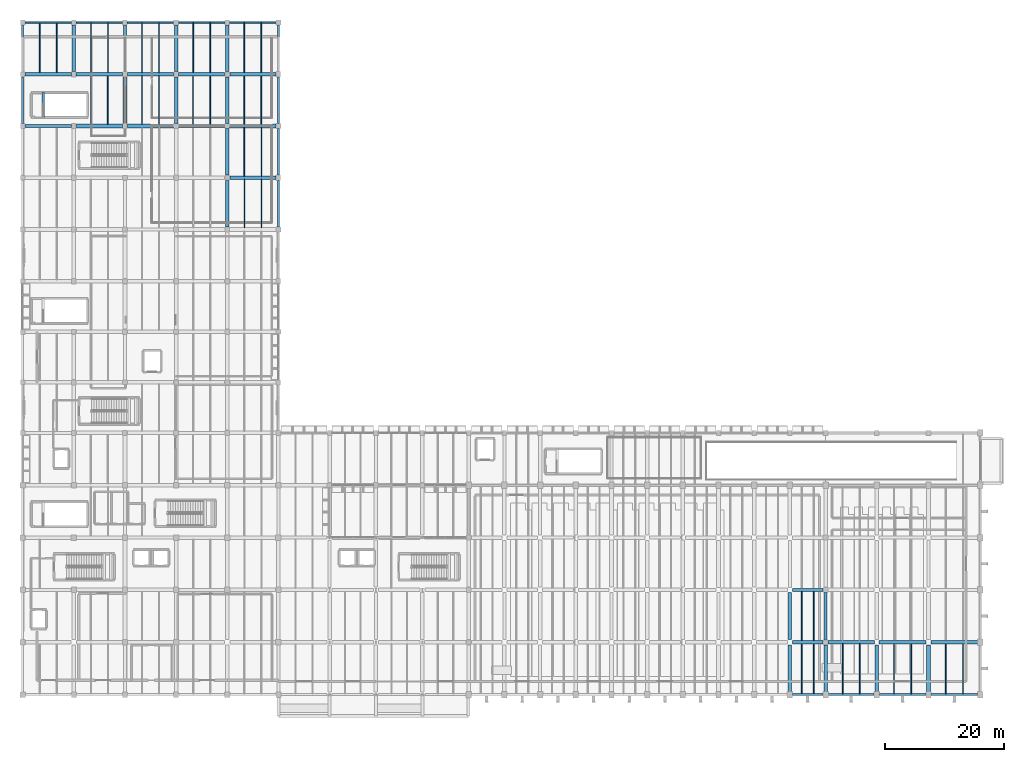
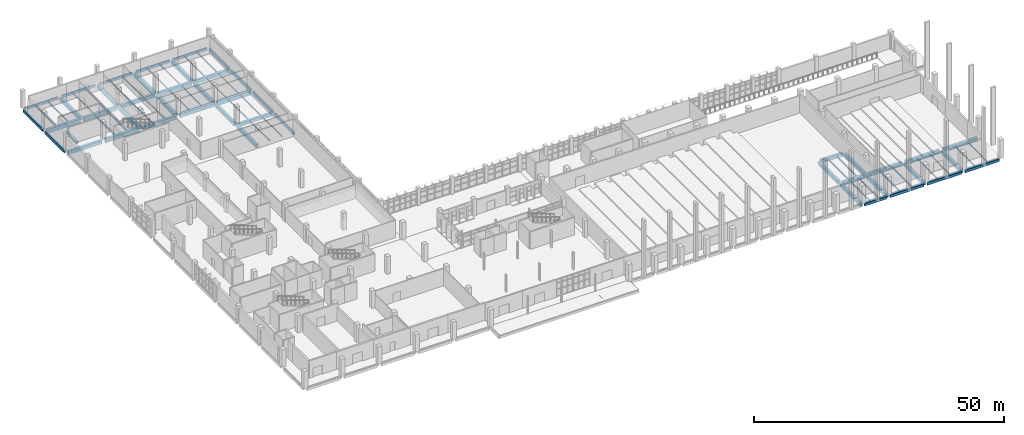
# One storey, part 46 of 76: 79 beams.
"""IFC4 building model written with IfcOpenShell, lengths in metres."""

import ifcopenshell
import ifcopenshell.guid

model = None  # the IFC model being written
_history = None  # IfcOwnerHistory: only IFC2X3 demands one
_inside = {}  # id of a spatial element -> (the spatial element, [elements in it])
_under = {}  # id of a project, library or spatial element -> (it, [spatial elements below it])
_declared = {}  # id of a project -> (the project, [libraries it declares])
_typed = {}  # id of a type object -> (the type object, [elements of that type])
_made_of = {}  # id of a material, layer set ... -> (it, [elements and type objects made of it])


def new_model(schema):
    """Start an empty IFC model of exactly this schema.

    Asked for "IFC4X3", IfcOpenShell would pick the latest addendum, in which some entities
    have other attributes; the version numbers below select the first issue.
    IFC2X3 requires an IfcOwnerHistory on every rooted entity: one is made here for all.
    """
    global model, _history
    if schema == "IFC4X3":
        model = ifcopenshell.file(schema_version=(4, 3, 0, 0))
    else:
        model = ifcopenshell.file(schema=schema)
    _inside.clear()
    _under.clear()
    _declared.clear()
    _typed.clear()
    _made_of.clear()
    _history = None
    if model.schema == "IFC2X3":
        org = make("IfcOrganization", Name="unknown")
        user = make(
            "IfcPersonAndOrganization",
            ThePerson=make("IfcPerson", FamilyName="unknown"),
            TheOrganization=org,
        )
        app = make(
            "IfcApplication",
            ApplicationDeveloper=org,
            Version="unknown",
            ApplicationFullName="unknown",
            ApplicationIdentifier="unknown",
        )
        _history = make(
            "IfcOwnerHistory",
            OwningUser=user,
            OwningApplication=app,
            ChangeAction="ADDED",
            CreationDate=0,
        )
    return model


def make(cls, **values):
    """One entity of the class cls with the attributes given. An attribute that is None is left unset."""
    return model.create_entity(
        cls, **{name: value for name, value in values.items() if value is not None}
    )


def rooted(cls, **values):
    """An entity with a GlobalId (a new one), such as an element, a storey or a relation."""
    return make(cls, GlobalId=ifcopenshell.guid.new(), OwnerHistory=_history, **values)


def si_unit(unit_type, name, prefix=None):
    """IfcSIUnit, for example si_unit("LENGTHUNIT", "METRE", prefix="MILLI")."""
    return make("IfcSIUnit", UnitType=unit_type, Prefix=prefix, Name=name)


def assignment(units):
    """IfcUnitAssignment: the units of a project."""
    return None if units is None else make("IfcUnitAssignment", Units=units)


def point(xyz):
    """IfcCartesianPoint."""
    return None if xyz is None else make("IfcCartesianPoint", Coordinates=xyz)


def direction(xyz):
    """IfcDirection."""
    return None if xyz is None else make("IfcDirection", DirectionRatios=xyz)


def frame(location, z_axis=None, x_axis=None):
    """IfcAxis2Placement3D, a coordinate frame: its origin and axes. An axis left out is left unset."""
    return make(
        "IfcAxis2Placement3D",
        Location=point(location),
        Axis=direction(z_axis),
        RefDirection=direction(x_axis),
    )


def frame_2d(location, x_axis=None):
    """IfcAxis2Placement2D, a coordinate frame in the plane: its origin and x axis."""
    return make(
        "IfcAxis2Placement2D", Location=point(location), RefDirection=direction(x_axis)
    )


def origin():
    """The frame at (0, 0, 0) with its axes left unset."""
    return frame((0.0, 0.0, 0.0))


def origin_2d():
    """The frame at (0, 0) in the plane with its x axis left unset."""
    return frame_2d((0.0, 0.0))


def place(relative_to, where):
    """IfcLocalPlacement: puts the frame where relative to a parent placement (None: the world)."""
    return make(
        "IfcLocalPlacement", PlacementRelTo=relative_to, RelativePlacement=where
    )


def context(
    kind, dimensions, precision=None, world=None, true_north=None, identifier=None
):
    """IfcGeometricRepresentationContext, for example the 3D "Model" context."""
    return make(
        "IfcGeometricRepresentationContext",
        ContextIdentifier=identifier,
        ContextType=kind,
        CoordinateSpaceDimension=dimensions,
        Precision=precision,
        WorldCoordinateSystem=world,
        TrueNorth=true_north,
    )


def subcontext(parent, identifier, kind, view, scale=None):
    """IfcGeometricRepresentationSubContext, for example "Body" below "Model"."""
    return make(
        "IfcGeometricRepresentationSubContext",
        ContextIdentifier=identifier,
        ContextType=kind,
        ParentContext=parent,
        TargetScale=scale,
        TargetView=view,
    )


def project(units=None, contexts=None):
    """IfcProject with its units and contexts."""
    return rooted(
        "IfcProject",
        Name="project",
        RepresentationContexts=contexts,
        UnitsInContext=assignment(units),
    )


def spatial(cls, under=None, at=None, **own):
    """A site, building, storey or space (cls), placed at a placement, below another one or the project."""
    s = rooted(cls, ObjectPlacement=at, **own)
    if under is not None:
        _under.setdefault(under.id(), (under, []))[1].append(s)
    return s


def profile(cls, at=None, kind="AREA", **sizes):
    """A parametric profile (cls). Its sizes go by their IFC names, for example OverallWidth=200.0."""
    return make(cls, ProfileType=kind, Position=at, **sizes)


def rectangle(**sizes):
    """IfcRectangleProfileDef."""
    return profile("IfcRectangleProfileDef", **sizes)


def i_section(**sizes):
    """IfcIShapeProfileDef."""
    return profile("IfcIShapeProfileDef", **sizes)


def extrude(swept, where, along, depth):
    """IfcExtrudedAreaSolid: the profile swept, set in the frame where, extruded along a direction by depth."""
    return make(
        "IfcExtrudedAreaSolid",
        SweptArea=swept,
        Position=where,
        ExtrudedDirection=direction(along),
        Depth=depth,
    )


def shape(context_of_items, identifier, shape_type, items):
    """IfcShapeRepresentation: the items that make up one representation, for example the "Body"."""
    return make(
        "IfcShapeRepresentation",
        ContextOfItems=context_of_items,
        RepresentationIdentifier=identifier,
        RepresentationType=shape_type,
        Items=items,
    )


def material(Name=None, Category=None):
    """IfcMaterial."""
    return make("IfcMaterial", Name=Name, Category=Category)


def material_profile(
    of_material, cross_section, Name=None, Category=None, Priority=None
):
    """IfcMaterialProfile: a cross section and its material."""
    return make(
        "IfcMaterialProfile",
        Name=Name,
        Material=of_material,
        Profile=cross_section,
        Priority=Priority,
        Category=Category,
    )


def profile_set(profiles, Name=None, composite=None):
    """IfcMaterialProfileSet."""
    return make(
        "IfcMaterialProfileSet",
        Name=Name,
        MaterialProfiles=profiles,
        CompositeProfile=composite,
    )


def made_of(thing, what):
    """Note that an element or type object is made of a material, layer set ...; save() writes the relation."""
    if what is not None:
        _made_of.setdefault(what.id(), (what, []))[1].append(thing)
    return thing


def type_object(cls, material=None, **own):
    """A type object (cls), such as IfcWallType, which elements share."""
    return made_of(rooted(cls, **own), material)


def element(
    cls,
    number,
    at=None,
    inside=None,
    cuts=None,
    type_object=None,
    material=None,
    context=None,
    identifier="Body",
    shape_type=None,
    held_by="IfcProductDefinitionShape",
    body=None,
    shapes=None,
    **own,
):
    """One element of the class cls, such as IfcWall. Its Tag is "e" and its number.

    at: its placement. inside: the storey or other place that contains it. cuts: it is an
    opening in that element (IfcRelVoidsElement). A single representation is given by context,
    identifier, shape_type and body (its items); several are given by shapes. held_by: the class
    of the entity that holds the representations. save() writes the other relations.
    """
    e = rooted(cls, Tag="e%d" % number, ObjectPlacement=at, **own)
    if body is not None:
        shapes = [shape(context, identifier, shape_type, body)]
    if shapes is not None:
        e.Representation = make(held_by, Representations=shapes)
    if inside is not None:
        _inside.setdefault(inside.id(), (inside, []))[1].append(e)
    if cuts is not None:
        rooted(
            "IfcRelVoidsElement", RelatingBuildingElement=cuts, RelatedOpeningElement=e
        )
    if type_object is not None:
        _typed.setdefault(type_object.id(), (type_object, []))[1].append(e)
    return made_of(e, material)


def aggregate(whole, parts):
    """IfcRelAggregates: a whole, such as a stair, and the parts it consists of."""
    return rooted("IfcRelAggregates", RelatingObject=whole, RelatedObjects=parts)


def save(model, path):
    """Write the relations noted so far, then the file.

    IfcRelAggregates (storeys below a building ...), IfcRelContainedInSpatialStructure (elements
    in a storey), IfcRelDefinesByType, IfcRelAssociatesMaterial and IfcRelDeclares: one each for
    every whole, place, type object, material and project.
    """
    for whole, parts in _under.values():
        aggregate(whole, parts)
    for where, things in _inside.values():
        rooted(
            "IfcRelContainedInSpatialStructure",
            RelatedElements=things,
            RelatingStructure=where,
        )
    for kind, things in _typed.values():
        rooted("IfcRelDefinesByType", RelatedObjects=things, RelatingType=kind)
    for what, things in _made_of.values():
        rooted("IfcRelAssociatesMaterial", RelatedObjects=things, RelatingMaterial=what)
    for by, libraries in _declared.values():
        rooted("IfcRelDeclares", RelatingContext=by, RelatedDefinitions=libraries)
    model.write(path)


model = new_model("IFC4")

# Units and contexts
model_context = context("Model", 3, precision=1e-05, world=origin(), true_north=direction((0.0, 1.0)))
body_context = subcontext(model_context, "Body", "Model", "MODEL_VIEW")
ifc_project = project(units=[si_unit("LENGTHUNIT", "METRE"), si_unit("AREAUNIT", "SQUARE_METRE"), si_unit("VOLUMEUNIT", "CUBIC_METRE"), si_unit("PLANEANGLEUNIT", "RADIAN"), si_unit("MASSUNIT", "GRAM", prefix="KILO")], contexts=[model_context])

# Site, building, storey
site_placement = place(None, origin())
site = spatial("IfcSite", under=ifc_project, at=site_placement, CompositionType="ELEMENT")
building_placement = place(site_placement, origin())
building = spatial("IfcBuilding", under=site, at=building_placement, Name="Varnakota Cinema and Media Centre", CompositionType="ELEMENT")
storey_placement = place(building_placement, origin())
storey = spatial("IfcBuildingStorey", under=building, at=storey_placement, Name="L00", CompositionType="ELEMENT", Elevation=0.0)

# Beams
ifc_material_1 = material(Name="Concrete M40", Category="concrete")
ifc_material_profile_1 = material_profile(ifc_material_1, rectangle(XDim=0.449951171875, YDim=0.550048828125, at=origin_2d()), Name="RCB 450x550")
ifc_profile_set_1 = profile_set([ifc_material_profile_1], Name="Concrete M40")
beam_type_1 = type_object("IfcBeamType", Name="BM-RC-450x550", PredefinedType="BEAM", material=ifc_profile_set_1)
beam_1_placement = place(storey_placement, frame((3.469970703125, 97.050048828125, -0.27490234375), z_axis=(0.0, 1.0, 0.0), x_axis=(-1.0, 0.0, 0.0)))
element("IfcBeam", 1, at=beam_1_placement, inside=storey, type_object=beam_type_1, Name="L00 ST-B4 stair arrival trimmer beam", PredefinedType="BEAM", context=body_context, shape_type="SweptSolid", body=[
    extrude(rectangle(XDim=0.449951171875, YDim=0.550048828125, at=origin_2d()), origin(), (0.0, 0.0, 1.0), 4.14990234375),
])
ifc_material_2 = material(Name="Concrete M35", Category="concrete")
ifc_material_profile_2 = material_profile(ifc_material_2, rectangle(XDim=0.550048828125, YDim=0.800048828125, at=origin_2d()), Name="RCB 550x800")
ifc_profile_set_2 = profile_set([ifc_material_profile_2], Name="Concrete M35")
beam_type_2 = type_object("IfcBeamType", Name="BM-RC-550x800", PredefinedType="BEAM", material=ifc_profile_set_2)
beam_2_placement = place(storey_placement, frame((135.425048828125, 8.800048828125, -0.679931640625), z_axis=(1.0, 0.0, 0.0), x_axis=(0.0, 1.0, 0.0)))
element("IfcBeam", 2, at=beam_2_placement, inside=storey, type_object=beam_type_2, Name="L00 girder V-W/2", PredefinedType="BEAM", context=body_context, shape_type="SweptSolid", body=[
    extrude(rectangle(XDim=0.550048828125, YDim=0.800048828125, at=origin_2d()), origin(), (0.0, 0.0, 1.0), 7.77490234375),
])
beam_3_placement = place(storey_placement, frame((129.425048828125, 17.60009765625, -0.679931640625), z_axis=(1.0, 0.0, 0.0), x_axis=(0.0, 1.0, 0.0)))
element("IfcBeam", 3, at=beam_3_placement, inside=storey, type_object=beam_type_2, Name="L00 girder U-V/3", PredefinedType="BEAM", context=body_context, shape_type="SweptSolid", body=[
    extrude(rectangle(XDim=0.550048828125, YDim=0.800048828125, at=origin_2d()), origin(), (0.0, 0.0, 1.0), 5.175048828125),
])
for number, where, z_axis, x_axis, name in (
    (4, (34.824951171875, 86.89990234375, -0.679931640625), (1.0, 0.0, 0.0), (0.0, 1.0, 0.0), "L00 girder E-F/11"),
    (5, (0.39990234375, 95.60009765625, -0.679931640625), (1.0, 0.0, 0.0), (0.0, 1.0, 0.0), "L00 girder A-B/12"),
):
    element("IfcBeam", number, at=place(storey_placement, frame(where, z_axis=z_axis, x_axis=x_axis)), inside=storey, type_object=beam_type_2, Name=name, PredefinedType="BEAM", context=body_context, shape_type="SweptSolid", body=[
        extrude(rectangle(XDim=0.550048828125, YDim=0.800048828125, at=origin_2d()), origin(), (0.0, 0.0, 1.0), 7.775146484375),
    ])
for number, where, z_axis, x_axis, name in (
    (6, (26.22509765625, 95.60009765625, -0.679931640625), (1.0, 0.0, 0.0), (0.0, 1.0, 0.0), "L00 girder D-E/12"),
    (7, (17.625, 104.300048828125, -0.679931640625), (1.0, 0.0, 0.0), (0.0, 1.0, 0.0), "L00 girder C-D/13"),
):
    element("IfcBeam", number, at=place(storey_placement, frame(where, z_axis=z_axis, x_axis=x_axis)), inside=storey, type_object=beam_type_2, Name=name, PredefinedType="BEAM", context=body_context, shape_type="SweptSolid", body=[
        extrude(rectangle(XDim=0.550048828125, YDim=0.800048828125, at=origin_2d()), origin(), (0.0, 0.0, 1.0), 7.77490234375),
    ])
beam_4_placement = place(storey_placement, frame((17.199951171875, 104.72509765625, -0.679931640625), z_axis=(0.0, 1.0, 0.0), x_axis=(-1.0, 0.0, 0.0)))
element("IfcBeam", 8, at=beam_4_placement, inside=storey, type_object=beam_type_2, Name="L00 girder C/13-14", PredefinedType="BEAM", context=body_context, shape_type="SweptSolid", body=[
    extrude(rectangle(XDim=0.550048828125, YDim=0.800048828125, at=origin_2d()), origin(), (0.0, 0.0, 1.0), 7.824951171875),
])
beam_5_placement = place(storey_placement, frame((25.800048828125, 96.02490234375, -0.679931640625), z_axis=(0.0, 1.0, 0.0), x_axis=(-1.0, 0.0, 0.0)))
element("IfcBeam", 9, at=beam_5_placement, inside=storey, type_object=beam_type_2, Name="L00 girder D/12-13", PredefinedType="BEAM", context=body_context, shape_type="SweptSolid", body=[
    extrude(rectangle(XDim=0.550048828125, YDim=0.800048828125, at=origin_2d()), origin(), (0.0, 0.0, 1.0), 7.8251953125),
])
beam_6_placement = place(storey_placement, frame((34.39990234375, 87.324951171875, -0.679931640625), z_axis=(0.0, 1.0, 0.0), x_axis=(-1.0, 0.0, 0.0)))
element("IfcBeam", 10, at=beam_6_placement, inside=storey, type_object=beam_type_2, Name="L00 girder E/11-12", PredefinedType="BEAM", context=body_context, shape_type="SweptSolid", body=[
    extrude(rectangle(XDim=0.550048828125, YDim=0.800048828125, at=origin_2d()), origin(), (0.0, 0.0, 1.0), 7.824951171875),
])
beam_7_placement = place(storey_placement, frame((135.0, 9.22509765625, -0.679931640625), z_axis=(0.0, 1.0, 0.0), x_axis=(-1.0, 0.0, 0.0)))
element("IfcBeam", 11, at=beam_7_placement, inside=storey, type_object=beam_type_2, Name="L00 girder V/2-3", PredefinedType="BEAM", context=body_context, shape_type="SweptSolid", body=[
    extrude(rectangle(XDim=0.550048828125, YDim=0.800048828125, at=origin_2d()), origin(), (0.0, 0.0, 1.0), 7.9248046875),
])
beam_8_placement = place(storey_placement, frame((143.60009765625, 0.425048828125, -0.679931640625), z_axis=(0.0, 1.0, 0.0), x_axis=(-1.0, 0.0, 0.0)))
element("IfcBeam", 12, at=beam_8_placement, inside=storey, type_object=beam_type_2, Name="L00 girder W/1-2", PredefinedType="BEAM", context=body_context, shape_type="SweptSolid", body=[
    extrude(rectangle(XDim=0.550048828125, YDim=0.800048828125, at=origin_2d()), origin(), (0.0, 0.0, 1.0), 7.925048828125),
])
ifc_material_3 = material(Name="Concrete M35", Category="concrete")
ifc_material_profile_3 = material_profile(ifc_material_3, rectangle(XDim=0.60009765625, YDim=0.85009765625, at=origin_2d()), Name="RCB 600x850")
ifc_profile_set_3 = profile_set([ifc_material_profile_3], Name="Concrete M35")
beam_type_3 = type_object("IfcBeamType", Name="BM-RC-600x850", PredefinedType="BEAM", material=ifc_profile_set_3)
beam_9_placement = place(storey_placement, frame((129.39990234375, 8.800048828125, -0.705078125), z_axis=(1.0, 0.0, 0.0), x_axis=(0.0, 1.0, 0.0)))
element("IfcBeam", 13, at=beam_9_placement, inside=storey, type_object=beam_type_3, Name="L00 girder U-V/2", PredefinedType="BEAM", context=body_context, shape_type="SweptSolid", body=[
    extrude(rectangle(XDim=0.60009765625, YDim=0.85009765625, at=origin_2d()), origin(), (0.0, 0.0, 1.0), 5.175048828125),
])
beam_10_placement = place(storey_placement, frame((152.72509765625, 8.800048828125, -0.705078125), z_axis=(1.0, 0.0, 0.0), x_axis=(0.0, 1.0, 0.0)))
element("IfcBeam", 14, at=beam_10_placement, inside=storey, type_object=beam_type_3, Name="L00 girder X-Y/2", PredefinedType="BEAM", context=body_context, shape_type="SweptSolid", body=[
    extrude(rectangle(XDim=0.60009765625, YDim=0.85009765625, at=origin_2d()), origin(), (0.0, 0.0, 1.0), 7.875),
])
for number, where, z_axis, x_axis, name in (
    (15, (17.60009765625, 95.60009765625, -0.705078125), (1.0, 0.0, 0.0), (0.0, 1.0, 0.0), "L00 girder C-D/12"),
    (16, (9.0, 104.300048828125, -0.705078125), (1.0, 0.0, 0.0), (0.0, 1.0, 0.0), "L00 girder B-C/13"),
):
    element("IfcBeam", number, at=place(storey_placement, frame(where, z_axis=z_axis, x_axis=x_axis)), inside=storey, type_object=beam_type_3, Name=name, PredefinedType="BEAM", context=body_context, shape_type="SweptSolid", body=[
        extrude(rectangle(XDim=0.60009765625, YDim=0.85009765625, at=origin_2d()), origin(), (0.0, 0.0, 1.0), 7.77490234375),
    ])
beam_11_placement = place(storey_placement, frame((34.824951171875, 104.300048828125, -0.705078125), z_axis=(1.0, 0.0, 0.0), x_axis=(0.0, 1.0, 0.0)))
element("IfcBeam", 17, at=beam_11_placement, inside=storey, type_object=beam_type_3, Name="L00 girder E-F/13", PredefinedType="BEAM", context=body_context, shape_type="SweptSolid", body=[
    extrude(rectangle(XDim=0.60009765625, YDim=0.85009765625, at=origin_2d()), origin(), (0.0, 0.0, 1.0), 7.775146484375),
])
for number, where, z_axis, x_axis, name in (
    (18, (8.60009765625, 104.75, -0.705078125), (0.0, 1.0, 0.0), (-1.0, 0.0, 0.0), "L00 girder B/13-14"),
    (19, (17.199951171875, 96.050048828125, -0.705078125), (0.0, 1.0, 0.0), (-1.0, 0.0, 0.0), "L00 girder C/12-13"),
):
    element("IfcBeam", number, at=place(storey_placement, frame(where, z_axis=z_axis, x_axis=x_axis)), inside=storey, type_object=beam_type_3, Name=name, PredefinedType="BEAM", context=body_context, shape_type="SweptSolid", body=[
        extrude(rectangle(XDim=0.60009765625, YDim=0.85009765625, at=origin_2d()), origin(), (0.0, 0.0, 1.0), 7.824951171875),
    ])
beam_12_placement = place(storey_placement, frame((34.39990234375, 78.64990234375, -0.705078125), z_axis=(0.0, 1.0, 0.0), x_axis=(-1.0, 0.0, 0.0)))
element("IfcBeam", 20, at=beam_12_placement, inside=storey, type_object=beam_type_3, Name="L00 girder E/10-11", PredefinedType="BEAM", context=body_context, shape_type="SweptSolid", body=[
    extrude(rectangle(XDim=0.60009765625, YDim=0.85009765625, at=origin_2d()), origin(), (0.0, 0.0, 1.0), 7.8251953125),
])
beam_13_placement = place(storey_placement, frame((34.39990234375, 104.72509765625, -0.705078125), z_axis=(0.0, 1.0, 0.0), x_axis=(-1.0, 0.0, 0.0)))
element("IfcBeam", 21, at=beam_13_placement, inside=storey, type_object=beam_type_3, Name="L00 girder E/13-14", PredefinedType="BEAM", context=body_context, shape_type="SweptSolid", body=[
    extrude(rectangle(XDim=0.60009765625, YDim=0.85009765625, at=origin_2d()), origin(), (0.0, 0.0, 1.0), 7.824951171875),
])
for number, where, z_axis, x_axis, name in (
    (22, (129.0, 9.25, -0.705078125), (0.0, 1.0, 0.0), (-1.0, 0.0, 0.0), "L00 girder U/2-3"),
    (23, (135.0, 0.449951171875, -0.705078125), (0.0, 1.0, 0.0), (-1.0, 0.0, 0.0), "L00 girder V/1-2"),
):
    element("IfcBeam", number, at=place(storey_placement, frame(where, z_axis=z_axis, x_axis=x_axis)), inside=storey, type_object=beam_type_3, Name=name, PredefinedType="BEAM", context=body_context, shape_type="SweptSolid", body=[
        extrude(rectangle(XDim=0.60009765625, YDim=0.85009765625, at=origin_2d()), origin(), (0.0, 0.0, 1.0), 7.925048828125),
    ])
ifc_material_4 = material(Name="Concrete M40", Category="concrete")
ifc_material_profile_4 = material_profile(ifc_material_4, rectangle(XDim=0.60009765625, YDim=0.89990234375, at=origin_2d()), Name="RCB 600x900")
ifc_profile_set_4 = profile_set([ifc_material_profile_4], Name="Concrete M40")
beam_type_4 = type_object("IfcBeamType", Name="BM-RC-600x900", PredefinedType="BEAM", material=ifc_profile_set_4)
beam_14_placement = place(storey_placement, frame((144.0, 8.800048828125, -0.72998046875), z_axis=(1.0, 0.0, 0.0), x_axis=(0.0, 1.0, 0.0)))
element("IfcBeam", 24, at=beam_14_placement, inside=storey, type_object=beam_type_4, Name="L00 girder W-X/2", PredefinedType="BEAM", context=body_context, shape_type="SweptSolid", body=[
    extrude(rectangle(XDim=0.60009765625, YDim=0.89990234375, at=origin_2d()), origin(), (0.0, 0.0, 1.0), 7.875),
])
beam_15_placement = place(storey_placement, frame((9.02490234375, 95.60009765625, -0.72998046875), z_axis=(1.0, 0.0, 0.0), x_axis=(0.0, 1.0, 0.0)))
element("IfcBeam", 25, at=beam_15_placement, inside=storey, type_object=beam_type_4, Name="L00 girder B-C/12", PredefinedType="BEAM", context=body_context, shape_type="SweptSolid", body=[
    extrude(rectangle(XDim=0.60009765625, YDim=0.89990234375, at=origin_2d()), origin(), (0.0, 0.0, 1.0), 7.775146484375),
])
for number, where, z_axis, x_axis, name in (
    (26, (34.800048828125, 95.60009765625, -0.72998046875), (1.0, 0.0, 0.0), (0.0, 1.0, 0.0), "L00 girder E-F/12"),
    (27, (0.425048828125, 104.300048828125, -0.72998046875), (1.0, 0.0, 0.0), (0.0, 1.0, 0.0), "L00 girder A-B/13"),
):
    element("IfcBeam", number, at=place(storey_placement, frame(where, z_axis=z_axis, x_axis=x_axis)), inside=storey, type_object=beam_type_4, Name=name, PredefinedType="BEAM", context=body_context, shape_type="SweptSolid", body=[
        extrude(rectangle(XDim=0.60009765625, YDim=0.89990234375, at=origin_2d()), origin(), (0.0, 0.0, 1.0), 7.77490234375),
    ])
beam_16_placement = place(storey_placement, frame((26.199951171875, 104.300048828125, -0.72998046875), z_axis=(1.0, 0.0, 0.0), x_axis=(0.0, 1.0, 0.0)))
element("IfcBeam", 28, at=beam_16_placement, inside=storey, type_object=beam_type_4, Name="L00 girder D-E/13", PredefinedType="BEAM", context=body_context, shape_type="SweptSolid", body=[
    extrude(rectangle(XDim=0.60009765625, YDim=0.89990234375, at=origin_2d()), origin(), (0.0, 0.0, 1.0), 7.775146484375),
])
for number, where, z_axis, x_axis, name in (
    (29, (25.800048828125, 104.75, -0.72998046875), (0.0, 1.0, 0.0), (-1.0, 0.0, 0.0), "L00 girder D/13-14"),
    (30, (34.39990234375, 96.050048828125, -0.72998046875), (0.0, 1.0, 0.0), (-1.0, 0.0, 0.0), "L00 girder E/12-13"),
):
    element("IfcBeam", number, at=place(storey_placement, frame(where, z_axis=z_axis, x_axis=x_axis)), inside=storey, type_object=beam_type_4, Name=name, PredefinedType="BEAM", context=body_context, shape_type="SweptSolid", body=[
        extrude(rectangle(XDim=0.60009765625, YDim=0.89990234375, at=origin_2d()), origin(), (0.0, 0.0, 1.0), 7.824951171875),
    ])
for number, where, z_axis, x_axis, name in (
    (31, (129.0, 0.425048828125, -0.72998046875), (0.0, 1.0, 0.0), (-1.0, 0.0, 0.0), "L00 girder U/1-2"),
    (32, (152.300048828125, 0.449951171875, -0.72998046875), (0.0, 1.0, 0.0), (-1.0, 0.0, 0.0), "L00 girder X/1-2"),
):
    element("IfcBeam", number, at=place(storey_placement, frame(where, z_axis=z_axis, x_axis=x_axis)), inside=storey, type_object=beam_type_4, Name=name, PredefinedType="BEAM", context=body_context, shape_type="SweptSolid", body=[
        extrude(rectangle(XDim=0.60009765625, YDim=0.89990234375, at=origin_2d()), origin(), (0.0, 0.0, 1.0), 7.925048828125),
    ])
ifc_material_5 = material(Name="Concrete M35", Category="concrete")
ifc_material_profile_5 = material_profile(ifc_material_5, rectangle(XDim=0.300048828125, YDim=0.60009765625, at=origin_2d()), Name="RCB 300x600")
ifc_profile_set_5 = profile_set([ifc_material_profile_5], Name="Concrete M35")
beam_type_5 = type_object("IfcBeamType", Name="BM-SP-300x600", PredefinedType="SPANDREL", material=ifc_profile_set_5)
for number, where, z_axis, x_axis, name in (
    (33, (0.39990234375, 113.0, -0.580078125), (1.0, 0.0, 0.0), (0.0, 1.0, 0.0), "L00 girder A-B/14"),
    (34, (9.02490234375, 113.0, -0.580078125), (1.0, 0.0, 0.0), (0.0, 1.0, 0.0), "L00 girder B-C/14"),
):
    element("IfcBeam", number, at=place(storey_placement, frame(where, z_axis=z_axis, x_axis=x_axis)), inside=storey, type_object=beam_type_5, Name=name, PredefinedType="SPANDREL", context=body_context, shape_type="SweptSolid", body=[
        extrude(rectangle(XDim=0.300048828125, YDim=0.60009765625, at=origin_2d()), origin(), (0.0, 0.0, 1.0), 7.775146484375),
    ])
for number, where, z_axis, x_axis, name in (
    (35, (17.60009765625, 113.0, -0.580078125), (1.0, 0.0, 0.0), (0.0, 1.0, 0.0), "L00 girder C-D/14"),
    (36, (26.22509765625, 113.0, -0.580078125), (1.0, 0.0, 0.0), (0.0, 1.0, 0.0), "L00 girder D-E/14"),
    (37, (34.800048828125, 113.0, -0.580078125), (1.0, 0.0, 0.0), (0.0, 1.0, 0.0), "L00 girder E-F/14"),
):
    element("IfcBeam", number, at=place(storey_placement, frame(where, z_axis=z_axis, x_axis=x_axis)), inside=storey, type_object=beam_type_5, Name=name, PredefinedType="SPANDREL", context=body_context, shape_type="SweptSolid", body=[
        extrude(rectangle(XDim=0.300048828125, YDim=0.60009765625, at=origin_2d()), origin(), (0.0, 0.0, 1.0), 7.77490234375),
    ])
ifc_material_6 = material(Name="Concrete M40", Category="concrete")
ifc_material_profile_6 = material_profile(ifc_material_6, rectangle(XDim=0.35009765625, YDim=0.64990234375, at=origin_2d()), Name="RCB 350x650")
ifc_profile_set_6 = profile_set([ifc_material_profile_6], Name="Concrete M40")
beam_type_6 = type_object("IfcBeamType", Name="BM-SP-350x650", PredefinedType="SPANDREL", material=ifc_profile_set_6)
beam_17_placement = place(storey_placement, frame((129.425048828125, 0.0, -0.60498046875), z_axis=(1.0, 0.0, 0.0), x_axis=(0.0, 1.0, 0.0)))
element("IfcBeam", 38, at=beam_17_placement, inside=storey, type_object=beam_type_6, Name="L00 girder U-V/1", PredefinedType="SPANDREL", context=body_context, shape_type="SweptSolid", body=[
    extrude(rectangle(XDim=0.35009765625, YDim=0.64990234375, at=origin_2d()), origin(), (0.0, 0.0, 1.0), 5.175048828125),
])
beam_18_placement = place(storey_placement, frame((135.39990234375, 0.0, -0.60498046875), z_axis=(1.0, 0.0, 0.0), x_axis=(0.0, 1.0, 0.0)))
element("IfcBeam", 39, at=beam_18_placement, inside=storey, type_object=beam_type_6, Name="L00 girder V-W/1", PredefinedType="SPANDREL", context=body_context, shape_type="SweptSolid", body=[
    extrude(rectangle(XDim=0.35009765625, YDim=0.64990234375, at=origin_2d()), origin(), (0.0, 0.0, 1.0), 7.775146484375),
])
for number, where, z_axis, x_axis, name in (
    (40, (144.02490234375, 0.0, -0.60498046875), (1.0, 0.0, 0.0), (0.0, 1.0, 0.0), "L00 girder W-X/1"),
    (41, (152.699951171875, 0.0, -0.60498046875), (1.0, 0.0, 0.0), (0.0, 1.0, 0.0), "L00 girder X-Y/1"),
):
    element("IfcBeam", number, at=place(storey_placement, frame(where, z_axis=z_axis, x_axis=x_axis)), inside=storey, type_object=beam_type_6, Name=name, PredefinedType="SPANDREL", context=body_context, shape_type="SweptSolid", body=[
        extrude(rectangle(XDim=0.35009765625, YDim=0.64990234375, at=origin_2d()), origin(), (0.0, 0.0, 1.0), 7.875),
    ])
for number, where, z_axis, x_axis, name in (
    (42, (0.0, 96.050048828125, -0.60498046875), (0.0, 1.0, 0.0), (-1.0, 0.0, 0.0), "L00 girder A/12-13"),
    (43, (0.0, 104.72509765625, -0.60498046875), (0.0, 1.0, 0.0), (-1.0, 0.0, 0.0), "L00 girder A/13-14"),
):
    element("IfcBeam", number, at=place(storey_placement, frame(where, z_axis=z_axis, x_axis=x_axis)), inside=storey, type_object=beam_type_6, Name=name, PredefinedType="SPANDREL", context=body_context, shape_type="SweptSolid", body=[
        extrude(rectangle(XDim=0.35009765625, YDim=0.64990234375, at=origin_2d()), origin(), (0.0, 0.0, 1.0), 7.824951171875),
    ])
ifc_material_7 = material(Name="Concrete M40", Category="concrete")
ifc_material_profile_7 = material_profile(ifc_material_7, rectangle(XDim=0.35009765625, YDim=0.75, at=origin_2d()), Name="RCB 350x750")
ifc_profile_set_7 = profile_set([ifc_material_profile_7], Name="Concrete M40")
beam_type_7 = type_object("IfcBeamType", Name="BM-SP-350x750", PredefinedType="SPANDREL", material=ifc_profile_set_7)
for number, where, z_axis, x_axis, name in (
    (44, (43.0, 78.625, -0.655029296875), (0.0, 1.0, 0.0), (-1.0, 0.0, 0.0), "L00 girder F/10-11"),
    (45, (43.0, 87.35009765625, -0.655029296875), (0.0, 1.0, 0.0), (-1.0, 0.0, 0.0), "L00 girder F/11-12"),
):
    element("IfcBeam", number, at=place(storey_placement, frame(where, z_axis=z_axis, x_axis=x_axis)), inside=storey, type_object=beam_type_7, Name=name, PredefinedType="SPANDREL", context=body_context, shape_type="SweptSolid", body=[
        extrude(rectangle(XDim=0.35009765625, YDim=0.75, at=origin_2d()), origin(), (0.0, 0.0, 1.0), 7.824951171875),
    ])
beam_19_placement = place(storey_placement, frame((43.0, 96.02490234375, -0.655029296875), z_axis=(0.0, 1.0, 0.0), x_axis=(-1.0, 0.0, 0.0)))
element("IfcBeam", 46, at=beam_19_placement, inside=storey, type_object=beam_type_7, Name="L00 girder F/12-13", PredefinedType="SPANDREL", context=body_context, shape_type="SweptSolid", body=[
    extrude(rectangle(XDim=0.35009765625, YDim=0.75, at=origin_2d()), origin(), (0.0, 0.0, 1.0), 7.8251953125),
])
beam_20_placement = place(storey_placement, frame((43.0, 104.75, -0.655029296875), z_axis=(0.0, 1.0, 0.0), x_axis=(-1.0, 0.0, 0.0)))
element("IfcBeam", 47, at=beam_20_placement, inside=storey, type_object=beam_type_7, Name="L00 girder F/13-14", PredefinedType="SPANDREL", context=body_context, shape_type="SweptSolid", body=[
    extrude(rectangle(XDim=0.35009765625, YDim=0.75, at=origin_2d()), origin(), (0.0, 0.0, 1.0), 7.824951171875),
])
ifc_material_8 = material(Name="Structural steel Grade 350 (E350)", Category="steel")
ifc_material_profile_8 = material_profile(ifc_material_8, i_section(OverallWidth=0.10009765625, OverallDepth=0.199951171875, WebThickness=0.005615234375, FlangeThickness=0.0107421875, FilletRadius=0.010986328125, at=origin_2d()), Name="ISMB 200")
ifc_profile_set_8 = profile_set([ifc_material_profile_8], Name="Structural steel Grade 350 (E350)")
beam_type_8 = type_object("IfcBeamType", Name="BM-ST-ISMB200", PredefinedType="JOIST", material=ifc_profile_set_8)
for number, where, z_axis, x_axis, name in (
    (48, (11.466796875, 104.60009765625, -0.3798828125), (0.0, 1.0, 0.0), (-1.0, 0.0, 0.0), "L00 steel joist B-C/13-14 #1"),
    (49, (14.333251953125, 104.60009765625, -0.3798828125), (0.0, 1.0, 0.0), (-1.0, 0.0, 0.0), "L00 steel joist B-C/13-14 #2"),
):
    element("IfcBeam", number, at=place(storey_placement, frame(where, z_axis=z_axis, x_axis=x_axis)), inside=storey, type_object=beam_type_8, Name=name, PredefinedType="JOIST", context=body_context, shape_type="SweptSolid", body=[
        extrude(i_section(OverallWidth=0.10009765625, OverallDepth=0.199951171875, WebThickness=0.005615234375, FlangeThickness=0.0107421875, FilletRadius=0.010986328125, at=origin_2d()), origin(), (0.0, 0.0, 1.0), 8.25),
    ])
for number, where, z_axis, x_axis, name in (
    (50, (20.066650390625, 95.89990234375, -0.3798828125), (0.0, 1.0, 0.0), (-1.0, 0.0, 0.0), "L00 steel joist C-D/12-13 #1"),
    (51, (22.933349609375, 95.89990234375, -0.3798828125), (0.0, 1.0, 0.0), (-1.0, 0.0, 0.0), "L00 steel joist C-D/12-13 #2"),
    (52, (37.2666015625, 78.5, -0.3798828125), (0.0, 1.0, 0.0), (-1.0, 0.0, 0.0), "L00 steel joist E-F/10-11 #1"),
    (53, (40.13330078125, 78.5, -0.3798828125), (0.0, 1.0, 0.0), (-1.0, 0.0, 0.0), "L00 steel joist E-F/10-11 #2"),
):
    element("IfcBeam", number, at=place(storey_placement, frame(where, z_axis=z_axis, x_axis=x_axis)), inside=storey, type_object=beam_type_8, Name=name, PredefinedType="JOIST", context=body_context, shape_type="SweptSolid", body=[
        extrude(i_section(OverallWidth=0.10009765625, OverallDepth=0.199951171875, WebThickness=0.005615234375, FlangeThickness=0.0107421875, FilletRadius=0.010986328125, at=origin_2d()), origin(), (0.0, 0.0, 1.0), 8.125),
    ])
for number, where, z_axis, x_axis, name in (
    (54, (146.5, 0.175048828125, -0.3798828125), (0.0, 1.0, 0.0), (-1.0, 0.0, 0.0), "L00 steel joist W-X/1-2 #1"),
    (55, (149.39990234375, 0.175048828125, -0.3798828125), (0.0, 1.0, 0.0), (-1.0, 0.0, 0.0), "L00 steel joist W-X/1-2 #2"),
):
    element("IfcBeam", number, at=place(storey_placement, frame(where, z_axis=z_axis, x_axis=x_axis)), inside=storey, type_object=beam_type_8, Name=name, PredefinedType="JOIST", context=body_context, shape_type="SweptSolid", body=[
        extrude(i_section(OverallWidth=0.10009765625, OverallDepth=0.199951171875, WebThickness=0.005615234375, FlangeThickness=0.0107421875, FilletRadius=0.010986328125, at=origin_2d()), origin(), (0.0, 0.0, 1.0), 8.324951171875),
    ])
ifc_material_9 = material(Name="Structural steel Grade 350 (E350)", Category="steel")
ifc_material_profile_9 = material_profile(ifc_material_9, i_section(OverallWidth=0.110107421875, OverallDepth=0.22509765625, WebThickness=0.006591796875, FlangeThickness=0.01171875, FilletRadius=0.011962890625, at=origin_2d()), Name="ISMB 225")
ifc_profile_set_9 = profile_set([ifc_material_profile_9], Name="Structural steel Grade 350 (E350)")
beam_type_9 = type_object("IfcBeamType", Name="BM-ST-ISMB225", PredefinedType="JOIST", material=ifc_profile_set_9)
for number, where, z_axis, x_axis, name in (
    (56, (20.066650390625, 104.574951171875, -0.392578125), (0.0, 1.0, 0.0), (-1.0, 0.0, 0.0), "L00 steel joist C-D/13-14 #1"),
    (57, (22.933349609375, 104.574951171875, -0.392578125), (0.0, 1.0, 0.0), (-1.0, 0.0, 0.0), "L00 steel joist C-D/13-14 #2"),
):
    element("IfcBeam", number, at=place(storey_placement, frame(where, z_axis=z_axis, x_axis=x_axis)), inside=storey, type_object=beam_type_9, Name=name, PredefinedType="JOIST", context=body_context, shape_type="SweptSolid", body=[
        extrude(i_section(OverallWidth=0.110107421875, OverallDepth=0.22509765625, WebThickness=0.006591796875, FlangeThickness=0.01171875, FilletRadius=0.011962890625, at=origin_2d()), origin(), (0.0, 0.0, 1.0), 8.275146484375),
    ])
for number, where, z_axis, x_axis, name in (
    (58, (28.666748046875, 95.875, -0.392578125), (0.0, 1.0, 0.0), (-1.0, 0.0, 0.0), "L00 steel joist D-E/12-13 #1"),
    (59, (31.533203125, 95.875, -0.392578125), (0.0, 1.0, 0.0), (-1.0, 0.0, 0.0), "L00 steel joist D-E/12-13 #2"),
    (60, (37.2666015625, 87.175048828125, -0.392578125), (0.0, 1.0, 0.0), (-1.0, 0.0, 0.0), "L00 steel joist E-F/11-12 #1"),
    (61, (40.13330078125, 87.175048828125, -0.392578125), (0.0, 1.0, 0.0), (-1.0, 0.0, 0.0), "L00 steel joist E-F/11-12 #2"),
):
    element("IfcBeam", number, at=place(storey_placement, frame(where, z_axis=z_axis, x_axis=x_axis)), inside=storey, type_object=beam_type_9, Name=name, PredefinedType="JOIST", context=body_context, shape_type="SweptSolid", body=[
        extrude(i_section(OverallWidth=0.110107421875, OverallDepth=0.22509765625, WebThickness=0.006591796875, FlangeThickness=0.01171875, FilletRadius=0.011962890625, at=origin_2d()), origin(), (0.0, 0.0, 1.0), 8.125),
    ])
for number, where, z_axis, x_axis, name in (
    (62, (155.199951171875, 0.175048828125, -0.392578125), (0.0, 1.0, 0.0), (-1.0, 0.0, 0.0), "L00 steel joist X-Y/1-2 #1"),
    (63, (158.10009765625, 0.175048828125, -0.392578125), (0.0, 1.0, 0.0), (-1.0, 0.0, 0.0), "L00 steel joist X-Y/1-2 #2"),
):
    element("IfcBeam", number, at=place(storey_placement, frame(where, z_axis=z_axis, x_axis=x_axis)), inside=storey, type_object=beam_type_9, Name=name, PredefinedType="JOIST", context=body_context, shape_type="SweptSolid", body=[
        extrude(i_section(OverallWidth=0.110107421875, OverallDepth=0.22509765625, WebThickness=0.006591796875, FlangeThickness=0.01171875, FilletRadius=0.011962890625, at=origin_2d()), origin(), (0.0, 0.0, 1.0), 8.324951171875),
    ])
ifc_material_10 = material(Name="Structural steel Grade 350 (E350)", Category="steel")
ifc_material_profile_10 = material_profile(ifc_material_10, i_section(OverallWidth=0.125, OverallDepth=0.25, WebThickness=0.0068359375, FlangeThickness=0.012451171875, FilletRadius=0.012939453125, at=origin_2d()), Name="ISMB 250")
ifc_profile_set_10 = profile_set([ifc_material_profile_10], Name="Structural steel Grade 350 (E350)")
beam_type_10 = type_object("IfcBeamType", Name="BM-ST-ISMB250", PredefinedType="JOIST", material=ifc_profile_set_10)
for number, where, z_axis, x_axis, name in (
    (64, (28.666748046875, 104.60009765625, -0.405029296875), (0.0, 1.0, 0.0), (-1.0, 0.0, 0.0), "L00 steel joist D-E/13-14 #1"),
    (65, (31.533203125, 104.60009765625, -0.405029296875), (0.0, 1.0, 0.0), (-1.0, 0.0, 0.0), "L00 steel joist D-E/13-14 #2"),
):
    element("IfcBeam", number, at=place(storey_placement, frame(where, z_axis=z_axis, x_axis=x_axis)), inside=storey, type_object=beam_type_10, Name=name, PredefinedType="JOIST", context=body_context, shape_type="SweptSolid", body=[
        extrude(i_section(OverallWidth=0.125, OverallDepth=0.25, WebThickness=0.0068359375, FlangeThickness=0.012451171875, FilletRadius=0.012939453125, at=origin_2d()), origin(), (0.0, 0.0, 1.0), 8.25),
    ])
for number, where, z_axis, x_axis, name in (
    (66, (37.2666015625, 95.89990234375, -0.405029296875), (0.0, 1.0, 0.0), (-1.0, 0.0, 0.0), "L00 steel joist E-F/12-13 #1"),
    (67, (40.13330078125, 95.89990234375, -0.405029296875), (0.0, 1.0, 0.0), (-1.0, 0.0, 0.0), "L00 steel joist E-F/12-13 #2"),
):
    element("IfcBeam", number, at=place(storey_placement, frame(where, z_axis=z_axis, x_axis=x_axis)), inside=storey, type_object=beam_type_10, Name=name, PredefinedType="JOIST", context=body_context, shape_type="SweptSolid", body=[
        extrude(i_section(OverallWidth=0.125, OverallDepth=0.25, WebThickness=0.0068359375, FlangeThickness=0.012451171875, FilletRadius=0.012939453125, at=origin_2d()), origin(), (0.0, 0.0, 1.0), 8.10009765625),
    ])
ifc_material_11 = material(Name="Structural steel Grade 350 (E350)", Category="steel")
ifc_material_profile_11 = material_profile(ifc_material_11, i_section(OverallWidth=0.139892578125, OverallDepth=0.300048828125, WebThickness=0.0078125, FlangeThickness=0.01318359375, FilletRadius=0.013916015625, at=origin_2d()), Name="ISMB 300")
ifc_profile_set_11 = profile_set([ifc_material_profile_11], Name="Structural steel Grade 350 (E350)")
beam_type_11 = type_object("IfcBeamType", Name="BM-ST-ISMB300", PredefinedType="JOIST", material=ifc_profile_set_11)
for number, where, z_axis, x_axis, name in (
    (68, (37.2666015625, 104.60009765625, -0.429931640625), (0.0, 1.0, 0.0), (-1.0, 0.0, 0.0), "L00 steel joist E-F/13-14 #1"),
    (69, (40.13330078125, 104.60009765625, -0.429931640625), (0.0, 1.0, 0.0), (-1.0, 0.0, 0.0), "L00 steel joist E-F/13-14 #2"),
):
    element("IfcBeam", number, at=place(storey_placement, frame(where, z_axis=z_axis, x_axis=x_axis)), inside=storey, type_object=beam_type_11, Name=name, PredefinedType="JOIST", context=body_context, shape_type="SweptSolid", body=[
        extrude(i_section(OverallWidth=0.139892578125, OverallDepth=0.300048828125, WebThickness=0.0078125, FlangeThickness=0.01318359375, FilletRadius=0.013916015625, at=origin_2d()), origin(), (0.0, 0.0, 1.0), 8.25),
    ])
ifc_material_12 = material(Name="Structural steel Grade 350 (E350)", Category="steel")
ifc_material_profile_12 = material_profile(ifc_material_12, i_section(OverallWidth=0.139892578125, OverallDepth=0.39990234375, WebThickness=0.0087890625, FlangeThickness=0.01611328125, FilletRadius=0.013916015625, at=origin_2d()), Name="ISMB 400")
ifc_profile_set_12 = profile_set([ifc_material_profile_12], Name="Structural steel Grade 350 (E350)")
beam_type_12 = type_object("IfcBeamType", Name="BM-ST-ISMB400", PredefinedType="JOIST", material=ifc_profile_set_12)
for number, where, z_axis, x_axis, name in (
    (70, (131.0, 0.175048828125, -0.47998046875), (0.0, 1.0, 0.0), (-1.0, 0.0, 0.0), "L00 steel joist U-V/1-2 #1"),
    (71, (133.0, 0.175048828125, -0.47998046875), (0.0, 1.0, 0.0), (-1.0, 0.0, 0.0), "L00 steel joist U-V/1-2 #2"),
):
    element("IfcBeam", number, at=place(storey_placement, frame(where, z_axis=z_axis, x_axis=x_axis)), inside=storey, type_object=beam_type_12, Name=name, PredefinedType="JOIST", context=body_context, shape_type="SweptSolid", body=[
        extrude(i_section(OverallWidth=0.139892578125, OverallDepth=0.39990234375, WebThickness=0.0087890625, FlangeThickness=0.01611328125, FilletRadius=0.013916015625, at=origin_2d()), origin(), (0.0, 0.0, 1.0), 8.324951171875),
    ])
ifc_material_13 = material(Name="Structural steel Grade 350 (E350)", Category="steel")
ifc_material_profile_13 = material_profile(ifc_material_13, i_section(OverallWidth=0.14990234375, OverallDepth=0.449951171875, WebThickness=0.009521484375, FlangeThickness=0.017333984375, FilletRadius=0.014892578125, at=origin_2d()), Name="ISMB 450")
ifc_profile_set_13 = profile_set([ifc_material_profile_13], Name="Structural steel Grade 350 (E350)")
beam_type_13 = type_object("IfcBeamType", Name="BM-ST-ISMB450", PredefinedType="BEAM", material=ifc_profile_set_13)
for number, where, z_axis, x_axis, name in (
    (72, (2.86669921875, 104.60009765625, -0.5048828125), (0.0, 1.0, 0.0), (-1.0, 0.0, 0.0), "L00 steel joist A-B/13-14 #1"),
    (73, (5.7333984375, 104.60009765625, -0.5048828125), (0.0, 1.0, 0.0), (-1.0, 0.0, 0.0), "L00 steel joist A-B/13-14 #2"),
):
    element("IfcBeam", number, at=place(storey_placement, frame(where, z_axis=z_axis, x_axis=x_axis)), inside=storey, type_object=beam_type_13, Name=name, PredefinedType="BEAM", context=body_context, shape_type="SweptSolid", body=[
        extrude(i_section(OverallWidth=0.14990234375, OverallDepth=0.449951171875, WebThickness=0.009521484375, FlangeThickness=0.017333984375, FilletRadius=0.014892578125, at=origin_2d()), origin(), (0.0, 0.0, 1.0), 8.25),
    ])
for number, where, z_axis, x_axis, name in (
    (74, (11.466796875, 95.89990234375, -0.5048828125), (0.0, 1.0, 0.0), (-1.0, 0.0, 0.0), "L00 steel joist B-C/12-13 #1"),
    (75, (14.333251953125, 95.89990234375, -0.5048828125), (0.0, 1.0, 0.0), (-1.0, 0.0, 0.0), "L00 steel joist B-C/12-13 #2"),
):
    element("IfcBeam", number, at=place(storey_placement, frame(where, z_axis=z_axis, x_axis=x_axis)), inside=storey, type_object=beam_type_13, Name=name, PredefinedType="BEAM", context=body_context, shape_type="SweptSolid", body=[
        extrude(i_section(OverallWidth=0.14990234375, OverallDepth=0.449951171875, WebThickness=0.009521484375, FlangeThickness=0.017333984375, FilletRadius=0.014892578125, at=origin_2d()), origin(), (0.0, 0.0, 1.0), 8.10009765625),
    ])
for number, where, z_axis, x_axis, name in (
    (76, (131.0, 9.10009765625, -0.5048828125), (0.0, 1.0, 0.0), (-1.0, 0.0, 0.0), "L00 steel joist U-V/2-3 #1"),
    (77, (133.0, 9.10009765625, -0.5048828125), (0.0, 1.0, 0.0), (-1.0, 0.0, 0.0), "L00 steel joist U-V/2-3 #2"),
):
    element("IfcBeam", number, at=place(storey_placement, frame(where, z_axis=z_axis, x_axis=x_axis)), inside=storey, type_object=beam_type_13, Name=name, PredefinedType="BEAM", context=body_context, shape_type="SweptSolid", body=[
        extrude(i_section(OverallWidth=0.14990234375, OverallDepth=0.449951171875, WebThickness=0.009521484375, FlangeThickness=0.017333984375, FilletRadius=0.014892578125, at=origin_2d()), origin(), (0.0, 0.0, 1.0), 8.224853515625),
    ])
for number, where, z_axis, x_axis, name in (
    (78, (137.86669921875, 0.175048828125, -0.5048828125), (0.0, 1.0, 0.0), (-1.0, 0.0, 0.0), "L00 steel joist V-W/1-2 #1"),
    (79, (140.7333984375, 0.175048828125, -0.5048828125), (0.0, 1.0, 0.0), (-1.0, 0.0, 0.0), "L00 steel joist V-W/1-2 #2"),
):
    element("IfcBeam", number, at=place(storey_placement, frame(where, z_axis=z_axis, x_axis=x_axis)), inside=storey, type_object=beam_type_13, Name=name, PredefinedType="BEAM", context=body_context, shape_type="SweptSolid", body=[
        extrude(i_section(OverallWidth=0.14990234375, OverallDepth=0.449951171875, WebThickness=0.009521484375, FlangeThickness=0.017333984375, FilletRadius=0.014892578125, at=origin_2d()), origin(), (0.0, 0.0, 1.0), 8.349853515625),
    ])

save(model, "model.ifc")
